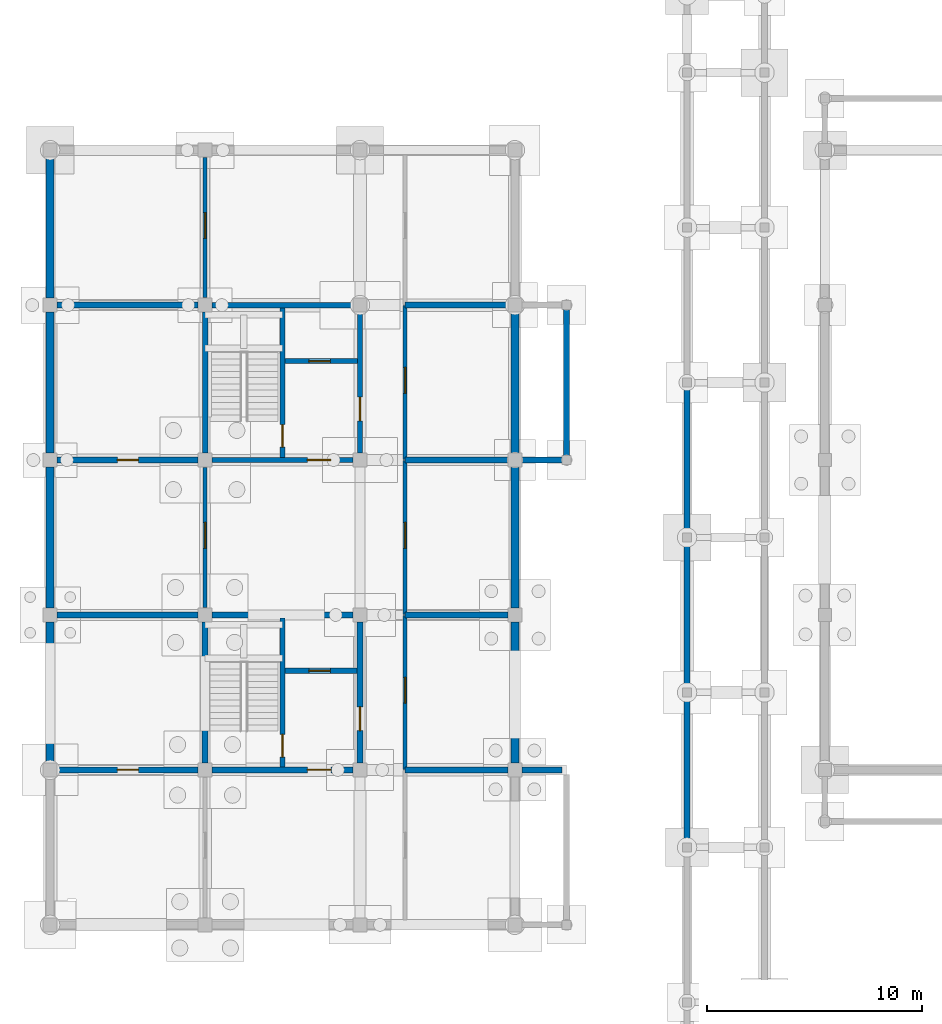
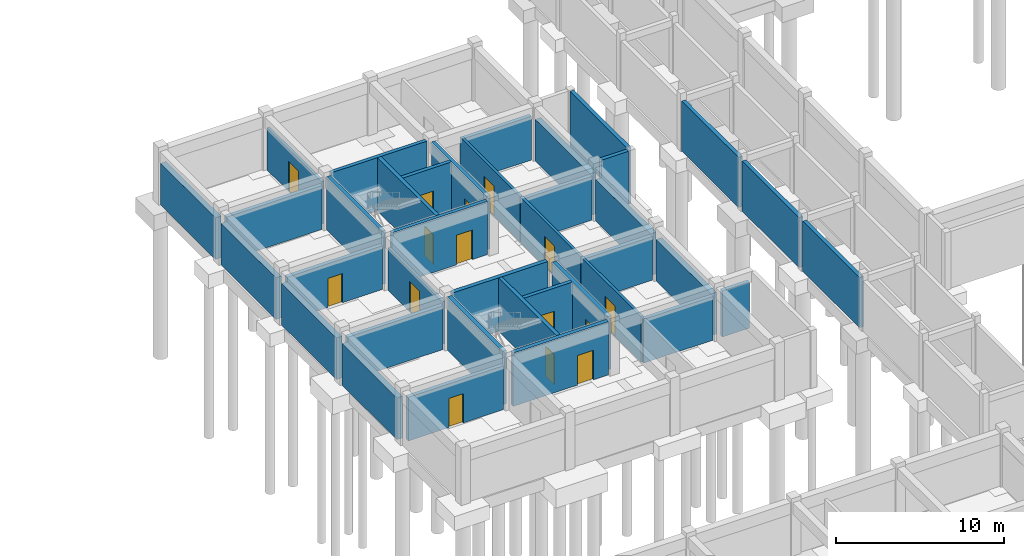
# One storey, part 27 of 38: 38 walls, 15 doors, 15 openings.
"""IFC4 building model written with IfcOpenShell, lengths in metres."""

from ifc_helpers import new_model, si_unit, direction, frame, frame_2d, origin, place, context, subcontext, project, spatial, rectangle, extrude, material, layer, layer_set, type_object, element, fill, save


model = new_model("IFC4")

# Units and contexts
model_context = context("Model", 3, precision=1e-05, world=origin(), true_north=direction((0.0, 1.0)))
body_context = subcontext(model_context, "Body", "Model", "MODEL_VIEW")
ifc_project = project(units=[si_unit("LENGTHUNIT", "METRE"), si_unit("AREAUNIT", "SQUARE_METRE"), si_unit("VOLUMEUNIT", "CUBIC_METRE"), si_unit("PLANEANGLEUNIT", "RADIAN"), si_unit("MASSUNIT", "GRAM", prefix="KILO"), si_unit("THERMODYNAMICTEMPERATUREUNIT", "KELVIN"), si_unit("POWERUNIT", "WATT")], contexts=[model_context])

# Site, building, storey
site_placement = place(None, origin())
site = spatial("IfcSite", under=ifc_project, at=site_placement, CompositionType="ELEMENT")
building_placement = place(site_placement, origin())
building = spatial("IfcBuilding", under=site, at=building_placement, Name="Tavuni Mirador Residences", CompositionType="ELEMENT")
storey_placement = place(building_placement, frame((0.0, 0.0, -4.199951171875)))
storey = spatial("IfcBuildingStorey", under=building, at=storey_placement, Name="B1", CompositionType="ELEMENT", Elevation=-4.199951171875)

# Wall, opening, door
ifc_material_1 = material(Name="Precast concrete C40/50", Category="concrete")
ifc_layer_1 = layer(ifc_material_1, 0.25, Name="Precast concrete C40/50", Category="concrete")
ifc_layer_set_1 = layer_set([ifc_layer_1], Name="Precast concrete C40/50")
wall_type_1 = type_object("IfcWallType", Name="WT-COR250", PredefinedType="SHEAR", material=ifc_layer_set_1)
wall_1_placement = place(storey_placement, frame((14.39990234375, 72.139892578125, 0.0), z_axis=(0.0, 0.0, 1.0), x_axis=(0.0, 1.0, 0.0)))
wall_1 = element("IfcWall", 1, at=wall_1_placement, inside=storey, type_object=wall_type_1, Name="CWALL-C3-B1-MID", PredefinedType="SHEAR", context=body_context, shape_type="SweptSolid", body=[
    extrude(rectangle(XDim=6.920166015625, YDim=0.25, at=frame_2d((3.4599609375, 0.0))), origin(), (0.0, 0.0, 1.0), 3.8798828125),
])
opening_1_placement = place(wall_1_placement, frame((0.4599609375, 0.0, 0.0)))
opening_1 = element("IfcOpeningElement", 2, at=opening_1_placement, cuts=wall_1, Name="Opening D-01", PredefinedType="OPENING", context=body_context, shape_type="SweptSolid", body=[
    extrude(rectangle(XDim=1.050048828125, YDim=2.14990234375, at=frame_2d((0.52490234375, 1.074951171875))), frame((0.0, 0.135009765625, 0.0), z_axis=(0.0, -1.0, 0.0), x_axis=(1.0, 0.0, 0.0)), (0.0, 0.0, 1.0), 0.27001953125),
])
ifc_material_2 = material(Name="Solid core iroko timber", Category="wood")
door_type_1 = type_object("IfcDoorType", Name="DT-ST1050", OperationType="NOTDEFINED", PredefinedType="DOOR", material=ifc_material_2)
door_1_placement = place(opening_1_placement, origin())
door_1 = element("IfcDoor", 3, at=door_1_placement, inside=storey, type_object=door_type_1, Name="DR-2109", OperationType="SINGLE_SWING_LEFT", OverallHeight=2.14990234375, OverallWidth=1.050048828125, PredefinedType="DOOR", context=body_context, shape_type="SweptSolid", body=[
    extrude(rectangle(XDim=1.050048828125, YDim=2.14990234375, at=frame_2d((0.52490234375, 1.074951171875))), frame((0.0, 0.02490234375, 0.0), z_axis=(0.0, -1.0, 0.0), x_axis=(1.0, 0.0, 0.0)), (0.0, 0.0, 1.0), 0.050048828125),
])
fill(opening_1, door_1)

wall_2_placement = place(storey_placement, frame((14.52490234375, 76.60009765625, 0.0), z_axis=(0.0, 0.0, 1.0), x_axis=(1.0, 0.0, 0.0)))
wall_2 = element("IfcWall", 4, at=wall_2_placement, inside=storey, type_object=wall_type_1, Name="CWALL-C3-B1-SHF", PredefinedType="SHEAR", context=body_context, shape_type="SweptSolid", body=[
    extrude(rectangle(XDim=3.335205078125, YDim=0.25, at=frame_2d((1.66748046875, 0.0))), origin(), (0.0, 0.0, 1.0), 3.8798828125),
])
opening_2_placement = place(wall_2_placement, frame((1.10009765625, 0.0, 0.0)))
opening_2 = element("IfcOpeningElement", 5, at=opening_2_placement, cuts=wall_2, Name="Opening LD-02", PredefinedType="OPENING", context=body_context, shape_type="SweptSolid", body=[
    extrude(rectangle(XDim=1.0, YDim=2.199951171875, at=frame_2d((0.5, 1.10009765625))), frame((0.0, 0.135009765625, 0.0), z_axis=(0.0, -1.0, 0.0), x_axis=(1.0, 0.0, 0.0)), (0.0, 0.0, 1.0), 0.27001953125),
])
ifc_material_3 = material(Name="Structural steel S355", Category="steel")
door_type_2 = type_object("IfcDoorType", Name="DT-LD-PAX", OperationType="SLIDING_TO_LEFT", PredefinedType="DOOR", material=ifc_material_3)
door_2_placement = place(opening_2_placement, origin())
door_2 = element("IfcDoor", 6, at=door_2_placement, inside=storey, type_object=door_type_2, Name="Lift landing door PL-B1 B1", OperationType="SLIDING_TO_LEFT", OverallHeight=2.199951171875, OverallWidth=1.0, PredefinedType="DOOR", context=body_context, shape_type="SweptSolid", body=[
    extrude(rectangle(XDim=1.0, YDim=2.199951171875, at=frame_2d((0.5, 1.10009765625))), frame((0.0, 0.02490234375, 0.0), z_axis=(0.0, -1.0, 0.0), x_axis=(1.0, 0.0, 0.0)), (0.0, 0.0, 1.0), 0.050048828125),
])
fill(opening_2, door_2)

# Walls
wall_3_placement = place(storey_placement, frame((10.800048828125, 86.72509765625, 0.0), z_axis=(0.0, 0.0, 1.0), x_axis=(0.0, 1.0, 0.0)))
element("IfcWall", 7, at=wall_3_placement, inside=storey, type_object=wall_type_1, Name="CWALL-C4-B1-W", PredefinedType="SHEAR", context=body_context, shape_type="SweptSolid", body=[
    extrude(rectangle(XDim=6.5498046875, YDim=0.25, at=frame_2d((3.27490234375, 0.0))), origin(), (0.0, 0.0, 1.0), 3.8798828125),
])
wall_4_placement = place(storey_placement, frame((11.125, 93.60009765625, 0.0), z_axis=(0.0, 0.0, 1.0), x_axis=(1.0, 0.0, 0.0)))
element("IfcWall", 8, at=wall_4_placement, inside=storey, type_object=wall_type_1, Name="CWALL-C4-B1-N", PredefinedType="SHEAR", context=body_context, shape_type="SweptSolid", body=[
    extrude(rectangle(XDim=6.550048828125, YDim=0.25, at=frame_2d((3.27490234375, 0.0))), origin(), (0.0, 0.0, 1.0), 3.8798828125),
])

# Wall, opening, door
wall_5_placement = place(storey_placement, frame((18.0, 86.72509765625, 0.0), z_axis=(0.0, 0.0, 1.0), x_axis=(0.0, 1.0, 0.0)))
wall_5 = element("IfcWall", 9, at=wall_5_placement, inside=storey, type_object=wall_type_1, Name="CWALL-C4-B1-E", PredefinedType="SHEAR", context=body_context, shape_type="SweptSolid", body=[
    extrude(rectangle(XDim=6.5498046875, YDim=0.25, at=frame_2d((3.27490234375, 0.0))), origin(), (0.0, 0.0, 1.0), 3.8798828125),
])
opening_3_placement = place(wall_5_placement, frame((1.5, 0.0, 0.0)))
opening_3 = element("IfcOpeningElement", 10, at=opening_3_placement, cuts=wall_5, Name="Opening D-02", PredefinedType="OPENING", context=body_context, shape_type="SweptSolid", body=[
    extrude(rectangle(XDim=1.10009765625, YDim=2.14990234375, at=frame_2d((0.550048828125, 1.074951171875))), frame((0.0, 0.135009765625, 0.0), z_axis=(0.0, -1.0, 0.0), x_axis=(1.0, 0.0, 0.0)), (0.0, 0.0, 1.0), 0.27001953125),
])
door_type_3 = type_object("IfcDoorType", Name="DT-LOB1100", OperationType="NOTDEFINED", PredefinedType="DOOR", material=ifc_material_2)
door_3_placement = place(opening_3_placement, frame((1.10009765625, 0.0, 0.0), z_axis=(0.0, 0.0, 1.0), x_axis=(-1.0, 0.0, 0.0)))
door_3 = element("IfcDoor", 11, at=door_3_placement, inside=storey, type_object=door_type_3, Name="DR-2139", OperationType="SINGLE_SWING_RIGHT", OverallHeight=2.14990234375, OverallWidth=1.10009765625, PredefinedType="DOOR", context=body_context, shape_type="SweptSolid", body=[
    extrude(rectangle(XDim=1.10009765625, YDim=2.14990234375, at=frame_2d((0.550048828125, 1.074951171875))), frame((0.0, 0.02490234375, 0.0), z_axis=(0.0, -1.0, 0.0), x_axis=(1.0, 0.0, 0.0)), (0.0, 0.0, 1.0), 0.050048828125),
])
fill(opening_3, door_3)

wall_6_placement = place(storey_placement, frame((11.125, 86.39990234375, 0.0), z_axis=(0.0, 0.0, 1.0), x_axis=(1.0, 0.0, 0.0)))
wall_6 = element("IfcWall", 12, at=wall_6_placement, inside=storey, type_object=wall_type_1, Name="CWALL-C4-B1-SS", PredefinedType="SHEAR", context=body_context, shape_type="SweptSolid", body=[
    extrude(rectangle(XDim=6.550048828125, YDim=0.25, at=frame_2d((3.27490234375, 0.0))), origin(), (0.0, 0.0, 1.0), 3.8798828125),
])
opening_4_placement = place(wall_6_placement, frame((4.425048828125, 0.0, 0.0)))
opening_4 = element("IfcOpeningElement", 13, at=opening_4_placement, cuts=wall_6, Name="Opening D-02", PredefinedType="OPENING", context=body_context, shape_type="SweptSolid", body=[
    extrude(rectangle(XDim=1.10009765625, YDim=2.14990234375, at=frame_2d((0.550048828125, 1.074951171875))), frame((0.0, 0.135009765625, 0.0), z_axis=(0.0, -1.0, 0.0), x_axis=(1.0, 0.0, 0.0)), (0.0, 0.0, 1.0), 0.27001953125),
])
door_4_placement = place(opening_4_placement, frame((1.10009765625, 0.0, 0.0), z_axis=(0.0, 0.0, 1.0), x_axis=(-1.0, 0.0, 0.0)))
door_4 = element("IfcDoor", 14, at=door_4_placement, inside=storey, type_object=door_type_3, Name="DR-2140", OperationType="SINGLE_SWING_RIGHT", OverallHeight=2.14990234375, OverallWidth=1.10009765625, PredefinedType="DOOR", context=body_context, shape_type="SweptSolid", body=[
    extrude(rectangle(XDim=1.10009765625, YDim=2.14990234375, at=frame_2d((0.550048828125, 1.074951171875))), frame((0.0, 0.02490234375, 0.0), z_axis=(0.0, -1.0, 0.0), x_axis=(1.0, 0.0, 0.0)), (0.0, 0.0, 1.0), 0.050048828125),
])
fill(opening_4, door_4)

wall_7_placement = place(storey_placement, frame((14.39990234375, 86.52490234375, 0.0), z_axis=(0.0, 0.0, 1.0), x_axis=(0.0, 1.0, 0.0)))
wall_7 = element("IfcWall", 15, at=wall_7_placement, inside=storey, type_object=wall_type_1, Name="CWALL-C4-B1-MID", PredefinedType="SHEAR", context=body_context, shape_type="SweptSolid", body=[
    extrude(rectangle(XDim=6.9501953125, YDim=0.25, at=frame_2d((3.47509765625, 0.0))), origin(), (0.0, 0.0, 1.0), 3.8798828125),
])
opening_5_placement = place(wall_7_placement, frame((0.47509765625, 0.0, 0.0)))
opening_5 = element("IfcOpeningElement", 16, at=opening_5_placement, cuts=wall_7, Name="Opening D-01", PredefinedType="OPENING", context=body_context, shape_type="SweptSolid", body=[
    extrude(rectangle(XDim=1.050048828125, YDim=2.14990234375, at=frame_2d((0.52490234375, 1.074951171875))), frame((0.0, 0.135009765625, 0.0), z_axis=(0.0, -1.0, 0.0), x_axis=(1.0, 0.0, 0.0)), (0.0, 0.0, 1.0), 0.27001953125),
])
door_5_placement = place(opening_5_placement, origin())
door_5 = element("IfcDoor", 17, at=door_5_placement, inside=storey, type_object=door_type_1, Name="DR-2141", OperationType="SINGLE_SWING_LEFT", OverallHeight=2.14990234375, OverallWidth=1.050048828125, PredefinedType="DOOR", context=body_context, shape_type="SweptSolid", body=[
    extrude(rectangle(XDim=1.050048828125, YDim=2.14990234375, at=frame_2d((0.52490234375, 1.074951171875))), frame((0.0, 0.02490234375, 0.0), z_axis=(0.0, -1.0, 0.0), x_axis=(1.0, 0.0, 0.0)), (0.0, 0.0, 1.0), 0.050048828125),
])
fill(opening_5, door_5)

wall_8_placement = place(storey_placement, frame((14.52490234375, 91.0, 0.0), z_axis=(0.0, 0.0, 1.0), x_axis=(1.0, 0.0, 0.0)))
wall_8 = element("IfcWall", 18, at=wall_8_placement, inside=storey, type_object=wall_type_1, Name="CWALL-C4-B1-SHF", PredefinedType="SHEAR", context=body_context, shape_type="SweptSolid", body=[
    extrude(rectangle(XDim=3.35009765625, YDim=0.25, at=frame_2d((1.675048828125, 0.0))), origin(), (0.0, 0.0, 1.0), 3.8798828125),
])
opening_6_placement = place(wall_8_placement, frame((1.10009765625, 0.0, 0.0)))
opening_6 = element("IfcOpeningElement", 19, at=opening_6_placement, cuts=wall_8, Name="Opening LD-02", PredefinedType="OPENING", context=body_context, shape_type="SweptSolid", body=[
    extrude(rectangle(XDim=1.0, YDim=2.199951171875, at=frame_2d((0.5, 1.10009765625))), frame((0.0, 0.135009765625, 0.0), z_axis=(0.0, -1.0, 0.0), x_axis=(1.0, 0.0, 0.0)), (0.0, 0.0, 1.0), 0.27001953125),
])
door_6_placement = place(opening_6_placement, origin())
door_6 = element("IfcDoor", 20, at=door_6_placement, inside=storey, type_object=door_type_2, Name="Lift landing door PL-B2 B1", OperationType="SLIDING_TO_LEFT", OverallHeight=2.199951171875, OverallWidth=1.0, PredefinedType="DOOR", context=body_context, shape_type="SweptSolid", body=[
    extrude(rectangle(XDim=1.0, YDim=2.199951171875, at=frame_2d((0.5, 1.10009765625))), frame((0.0, 0.02490234375, 0.0), z_axis=(0.0, -1.0, 0.0), x_axis=(1.0, 0.0, 0.0)), (0.0, 0.0, 1.0), 0.050048828125),
])
fill(opening_6, door_6)

# Walls
ifc_layer_2 = layer(ifc_material_1, 0.280029296875, Name="Precast concrete C40/50", Category="concrete")
ifc_layer_set_2 = layer_set([ifc_layer_2], Name="Precast concrete C40/50")
wall_type_2 = type_object("IfcWallType", Name="WT-COR280", PredefinedType="SHEAR", material=ifc_layer_set_2)
for number, where, z_axis, x_axis, name in (
    (21, (10.800048828125, 72.324951171875, 0.0), (0.0, 0.0, 1.0), (0.0, 1.0, 0.0), "CWALL-C3-B1-W"),
    (22, (11.125, 79.199951171875, 0.0), (0.0, 0.0, 1.0), (1.0, 0.0, 0.0), "CWALL-C3-B1-N"),
):
    element("IfcWall", number, at=place(storey_placement, frame(where, z_axis=z_axis, x_axis=x_axis)), inside=storey, type_object=wall_type_2, Name=name, PredefinedType="SHEAR", context=body_context, shape_type="SweptSolid", body=[
        extrude(rectangle(XDim=6.550048828125, YDim=0.280029296875, at=frame_2d((3.27490234375, 0.0))), origin(), (0.0, 0.0, 1.0), 3.8798828125),
    ])

# Wall, opening, door
wall_9_placement = place(storey_placement, frame((18.0, 72.324951171875, 0.0), z_axis=(0.0, 0.0, 1.0), x_axis=(0.0, 1.0, 0.0)))
wall_9 = element("IfcWall", 23, at=wall_9_placement, inside=storey, type_object=wall_type_2, Name="CWALL-C3-B1-E", PredefinedType="SHEAR", context=body_context, shape_type="SweptSolid", body=[
    extrude(rectangle(XDim=6.550048828125, YDim=0.280029296875, at=frame_2d((3.27490234375, 0.0))), origin(), (0.0, 0.0, 1.0), 3.8798828125),
])
opening_7_placement = place(wall_9_placement, frame((1.5, 0.0, 0.0)))
opening_7 = element("IfcOpeningElement", 24, at=opening_7_placement, cuts=wall_9, Name="Opening D-02", PredefinedType="OPENING", context=body_context, shape_type="SweptSolid", body=[
    extrude(rectangle(XDim=1.10009765625, YDim=2.14990234375, at=frame_2d((0.550048828125, 1.074951171875))), frame((0.0, 0.14990234375, 0.0), z_axis=(0.0, -1.0, 0.0), x_axis=(1.0, 0.0, 0.0)), (0.0, 0.0, 1.0), 0.300048828125),
])
door_7_placement = place(opening_7_placement, frame((1.10009765625, 0.0, 0.0), z_axis=(0.0, 0.0, 1.0), x_axis=(-1.0, 0.0, 0.0)))
door_7 = element("IfcDoor", 25, at=door_7_placement, inside=storey, type_object=door_type_3, Name="DR-2107", OperationType="SINGLE_SWING_RIGHT", OverallHeight=2.14990234375, OverallWidth=1.10009765625, PredefinedType="DOOR", context=body_context, shape_type="SweptSolid", body=[
    extrude(rectangle(XDim=1.10009765625, YDim=2.14990234375, at=frame_2d((0.550048828125, 1.074951171875))), frame((0.0, 0.02490234375, 0.0), z_axis=(0.0, -1.0, 0.0), x_axis=(1.0, 0.0, 0.0)), (0.0, 0.0, 1.0), 0.050048828125),
])
fill(opening_7, door_7)

wall_10_placement = place(storey_placement, frame((11.125, 72.0, 0.0), z_axis=(0.0, 0.0, 1.0), x_axis=(1.0, 0.0, 0.0)))
wall_10 = element("IfcWall", 26, at=wall_10_placement, inside=storey, type_object=wall_type_2, Name="CWALL-C3-B1-SS", PredefinedType="SHEAR", context=body_context, shape_type="SweptSolid", body=[
    extrude(rectangle(XDim=6.550048828125, YDim=0.280029296875, at=frame_2d((3.27490234375, 0.0))), origin(), (0.0, 0.0, 1.0), 3.8798828125),
])
opening_8_placement = place(wall_10_placement, frame((4.425048828125, 0.0, 0.0)))
opening_8 = element("IfcOpeningElement", 27, at=opening_8_placement, cuts=wall_10, Name="Opening D-02", PredefinedType="OPENING", context=body_context, shape_type="SweptSolid", body=[
    extrude(rectangle(XDim=1.10009765625, YDim=2.14990234375, at=frame_2d((0.550048828125, 1.074951171875))), frame((0.0, 0.14990234375, 0.0), z_axis=(0.0, -1.0, 0.0), x_axis=(1.0, 0.0, 0.0)), (0.0, 0.0, 1.0), 0.300048828125),
])
door_8_placement = place(opening_8_placement, frame((1.10009765625, 0.0, 0.0), z_axis=(0.0, 0.0, 1.0), x_axis=(-1.0, 0.0, 0.0)))
door_8 = element("IfcDoor", 28, at=door_8_placement, inside=storey, type_object=door_type_3, Name="DR-2108", OperationType="SINGLE_SWING_RIGHT", OverallHeight=2.14990234375, OverallWidth=1.10009765625, PredefinedType="DOOR", context=body_context, shape_type="SweptSolid", body=[
    extrude(rectangle(XDim=1.10009765625, YDim=2.14990234375, at=frame_2d((0.550048828125, 1.074951171875))), frame((0.0, 0.02490234375, 0.0), z_axis=(0.0, -1.0, 0.0), x_axis=(1.0, 0.0, 0.0)), (0.0, 0.0, 1.0), 0.050048828125),
])
fill(opening_8, door_8)

ifc_layer_3 = layer(ifc_material_1, 0.18505859375, Name="Precast concrete C40/50", Category="concrete")
ifc_layer_set_3 = layer_set([ifc_layer_3], Name="Precast concrete C40/50")
wall_type_3 = type_object("IfcWallType", Name="WT-CORR185", PredefinedType="PARTITIONING", material=ifc_layer_set_3)
wall_11_placement = place(storey_placement, frame((20.10009765625, 72.02001953125, 0.0), z_axis=(0.0, 0.0, 1.0), x_axis=(0.0, 1.0, 0.0)))
wall_11 = element("IfcWall", 29, at=wall_11_placement, inside=storey, type_object=wall_type_3, Name="CORW-BLK-B-B1-0-01", PredefinedType="PARTITIONING", context=body_context, shape_type="SweptSolid", body=[
    extrude(rectangle(XDim=7.159912109375, YDim=0.18505859375, at=frame_2d((3.580078125, 0.0))), origin(), (0.0, 0.0, 1.0), 3.31494140625),
])
opening_9_placement = place(wall_11_placement, frame((3.080078125, 0.0, 0.0)))
opening_9 = element("IfcOpeningElement", 30, at=opening_9_placement, cuts=wall_11, Name="Opening D-18", PredefinedType="OPENING", context=body_context, shape_type="SweptSolid", body=[
    extrude(rectangle(XDim=1.199951171875, YDim=2.199951171875, at=frame_2d((0.60009765625, 1.10009765625))), frame((0.0, 0.1025390625, 0.0), z_axis=(0.0, -1.0, 0.0), x_axis=(1.0, 0.0, 0.0)), (0.0, 0.0, 1.0), 0.205078125),
])
door_type_4 = type_object("IfcDoorType", Name="DT-PLT1200", OperationType="NOTDEFINED", PredefinedType="DOOR", material=ifc_material_3)
door_9_placement = place(opening_9_placement, origin())
door_9 = element("IfcDoor", 31, at=door_9_placement, inside=storey, type_object=door_type_4, Name="DR-2522", OperationType="SINGLE_SWING_LEFT", OverallHeight=2.199951171875, OverallWidth=1.199951171875, PredefinedType="DOOR", context=body_context, shape_type="SweptSolid", body=[
    extrude(rectangle(XDim=1.199951171875, YDim=2.199951171875, at=frame_2d((0.60009765625, 1.10009765625))), frame((0.0, 0.02490234375, 0.0), z_axis=(0.0, -1.0, 0.0), x_axis=(1.0, 0.0, 0.0)), (0.0, 0.0, 1.0), 0.050048828125),
])
fill(opening_9, door_9)

wall_12_placement = place(storey_placement, frame((20.10009765625, 79.219970703125, 0.0), z_axis=(0.0, 0.0, 1.0), x_axis=(0.0, 1.0, 0.0)))
wall_12 = element("IfcWall", 32, at=wall_12_placement, inside=storey, type_object=wall_type_3, Name="CORW-BLK-B-B1-0-02", PredefinedType="PARTITIONING", context=body_context, shape_type="SweptSolid", body=[
    extrude(rectangle(XDim=7.159912109375, YDim=0.18505859375, at=frame_2d((3.580078125, 0.0))), origin(), (0.0, 0.0, 1.0), 3.31494140625),
])
opening_10_placement = place(wall_12_placement, frame((3.080078125, 0.0, 0.0)))
opening_10 = element("IfcOpeningElement", 33, at=opening_10_placement, cuts=wall_12, Name="Opening D-18", PredefinedType="OPENING", context=body_context, shape_type="SweptSolid", body=[
    extrude(rectangle(XDim=1.199951171875, YDim=2.199951171875, at=frame_2d((0.60009765625, 1.10009765625))), frame((0.0, 0.1025390625, 0.0), z_axis=(0.0, -1.0, 0.0), x_axis=(1.0, 0.0, 0.0)), (0.0, 0.0, 1.0), 0.205078125),
])
door_10_placement = place(opening_10_placement, origin())
door_10 = element("IfcDoor", 34, at=door_10_placement, inside=storey, type_object=door_type_4, Name="DR-2523", OperationType="SINGLE_SWING_RIGHT", OverallHeight=2.199951171875, OverallWidth=1.199951171875, PredefinedType="DOOR", context=body_context, shape_type="SweptSolid", body=[
    extrude(rectangle(XDim=1.199951171875, YDim=2.199951171875, at=frame_2d((0.60009765625, 1.10009765625))), frame((0.0, 0.02490234375, 0.0), z_axis=(0.0, -1.0, 0.0), x_axis=(1.0, 0.0, 0.0)), (0.0, 0.0, 1.0), 0.050048828125),
])
fill(opening_10, door_10)

wall_13_placement = place(storey_placement, frame((20.10009765625, 86.419921875, 0.0), z_axis=(0.0, 0.0, 1.0), x_axis=(0.0, 1.0, 0.0)))
wall_13 = element("IfcWall", 35, at=wall_13_placement, inside=storey, type_object=wall_type_3, Name="CORW-BLK-B-B1-0-03", PredefinedType="PARTITIONING", context=body_context, shape_type="SweptSolid", body=[
    extrude(rectangle(XDim=7.16015625, YDim=0.18505859375, at=frame_2d((3.580078125, 0.0))), origin(), (0.0, 0.0, 1.0), 3.31494140625),
])
opening_11_placement = place(wall_13_placement, frame((3.080078125, 0.0, 0.0)))
opening_11 = element("IfcOpeningElement", 36, at=opening_11_placement, cuts=wall_13, Name="Opening D-18", PredefinedType="OPENING", context=body_context, shape_type="SweptSolid", body=[
    extrude(rectangle(XDim=1.199951171875, YDim=2.199951171875, at=frame_2d((0.60009765625, 1.10009765625))), frame((0.0, 0.1025390625, 0.0), z_axis=(0.0, -1.0, 0.0), x_axis=(1.0, 0.0, 0.0)), (0.0, 0.0, 1.0), 0.205078125),
])
door_11_placement = place(opening_11_placement, origin())
door_11 = element("IfcDoor", 37, at=door_11_placement, inside=storey, type_object=door_type_4, Name="DR-2524", OperationType="SINGLE_SWING_LEFT", OverallHeight=2.199951171875, OverallWidth=1.199951171875, PredefinedType="DOOR", context=body_context, shape_type="SweptSolid", body=[
    extrude(rectangle(XDim=1.199951171875, YDim=2.199951171875, at=frame_2d((0.60009765625, 1.10009765625))), frame((0.0, 0.02490234375, 0.0), z_axis=(0.0, -1.0, 0.0), x_axis=(1.0, 0.0, 0.0)), (0.0, 0.0, 1.0), 0.050048828125),
])
fill(opening_11, door_11)

wall_14_placement = place(storey_placement, frame((10.800048828125, 79.550048828125, 0.0), z_axis=(0.0, 0.0, 1.0), x_axis=(0.0, 1.0, 0.0)))
wall_14 = element("IfcWall", 38, at=wall_14_placement, inside=storey, type_object=wall_type_3, Name="CORW-BLK-B-B1-1-02", PredefinedType="PARTITIONING", context=body_context, shape_type="SweptSolid", body=[
    extrude(rectangle(XDim=6.5, YDim=0.18505859375, at=frame_2d((3.25, 0.0))), origin(), (0.0, 0.0, 1.0), 3.079833984375),
])
opening_12_placement = place(wall_14_placement, frame((2.75, 0.0, 0.0)))
opening_12 = element("IfcOpeningElement", 39, at=opening_12_placement, cuts=wall_14, Name="Opening D-18", PredefinedType="OPENING", context=body_context, shape_type="SweptSolid", body=[
    extrude(rectangle(XDim=1.199951171875, YDim=2.199951171875, at=frame_2d((0.60009765625, 1.10009765625))), frame((0.0, 0.1025390625, 0.0), z_axis=(0.0, -1.0, 0.0), x_axis=(1.0, 0.0, 0.0)), (0.0, 0.0, 1.0), 0.205078125),
])
door_12_placement = place(opening_12_placement, origin())
door_12 = element("IfcDoor", 40, at=door_12_placement, inside=storey, type_object=door_type_4, Name="DR-2527", OperationType="SINGLE_SWING_RIGHT", OverallHeight=2.199951171875, OverallWidth=1.199951171875, PredefinedType="DOOR", context=body_context, shape_type="SweptSolid", body=[
    extrude(rectangle(XDim=1.199951171875, YDim=2.199951171875, at=frame_2d((0.60009765625, 1.10009765625))), frame((0.0, 0.02490234375, 0.0), z_axis=(0.0, -1.0, 0.0), x_axis=(1.0, 0.0, 0.0)), (0.0, 0.0, 1.0), 0.050048828125),
])
fill(opening_12, door_12)

wall_15_placement = place(storey_placement, frame((10.800048828125, 93.949951171875, 0.0), z_axis=(0.0, 0.0, 1.0), x_axis=(0.0, 1.0, 0.0)))
wall_15 = element("IfcWall", 41, at=wall_15_placement, inside=storey, type_object=wall_type_3, Name="CORW-BLK-B-B1-1-04", PredefinedType="PARTITIONING", context=body_context, shape_type="SweptSolid", body=[
    extrude(rectangle(XDim=6.5, YDim=0.18505859375, at=frame_2d((3.25, 0.0))), origin(), (0.0, 0.0, 1.0), 3.079833984375),
])
opening_13_placement = place(wall_15_placement, frame((2.75, 0.0, 0.0)))
opening_13 = element("IfcOpeningElement", 42, at=opening_13_placement, cuts=wall_15, Name="Opening D-18", PredefinedType="OPENING", context=body_context, shape_type="SweptSolid", body=[
    extrude(rectangle(XDim=1.199951171875, YDim=2.199951171875, at=frame_2d((0.60009765625, 1.10009765625))), frame((0.0, 0.1025390625, 0.0), z_axis=(0.0, -1.0, 0.0), x_axis=(1.0, 0.0, 0.0)), (0.0, 0.0, 1.0), 0.205078125),
])
door_13_placement = place(opening_13_placement, origin())
door_13 = element("IfcDoor", 43, at=door_13_placement, inside=storey, type_object=door_type_4, Name="DR-2528", OperationType="SINGLE_SWING_LEFT", OverallHeight=2.199951171875, OverallWidth=1.199951171875, PredefinedType="DOOR", context=body_context, shape_type="SweptSolid", body=[
    extrude(rectangle(XDim=1.199951171875, YDim=2.199951171875, at=frame_2d((0.60009765625, 1.10009765625))), frame((0.0, 0.02490234375, 0.0), z_axis=(0.0, -1.0, 0.0), x_axis=(1.0, 0.0, 0.0)), (0.0, 0.0, 1.0), 0.050048828125),
])
fill(opening_13, door_13)

# Walls
ifc_material_4 = material(Name="In-situ concrete C35/45", Category="concrete")
ifc_layer_4 = layer(ifc_material_4, 0.3798828125, Name="In-situ concrete C35/45", Category="concrete")
ifc_layer_set_4 = layer_set([ifc_layer_4], Name="In-situ concrete C35/45")
wall_type_4 = type_object("IfcWallType", Name="WT-RET380", PredefinedType="USERDEFINED", material=ifc_layer_set_4)
for number, where, z_axis, x_axis, name in (
    (44, (25.199951171875, 72.324951171875, 0.0), (0.0, 0.0, 1.0), (0.0, 1.0, 0.0), "RET-BLK-B-E-01"),
    (45, (3.60009765625, 78.875, 0.0), (0.0, 0.0, 1.0), (0.0, -1.0, 0.0), "RET-BLK-B-W-01"),
    (46, (25.199951171875, 79.52490234375, 0.0), (0.0, 0.0, 1.0), (0.0, 1.0, 0.0), "RET-BLK-B-E-02"),
    (47, (3.60009765625, 86.074951171875, 0.0), (0.0, 0.0, 1.0), (0.0, -1.0, 0.0), "RET-BLK-B-W-02"),
):
    element("IfcWall", number, at=place(storey_placement, frame(where, z_axis=z_axis, x_axis=x_axis)), inside=storey, type_object=wall_type_4, Name=name, ObjectType="RETAINING WALL", PredefinedType="USERDEFINED", context=body_context, shape_type="SweptSolid", body=[
        extrude(rectangle(XDim=6.550048828125, YDim=0.3798828125, at=frame_2d((3.27490234375, 0.0))), origin(), (0.0, 0.0, 1.0), 3.030029296875),
    ])
for number, where, z_axis, x_axis, name in (
    (48, (25.199951171875, 86.72509765625, 0.0), (0.0, 0.0, 1.0), (0.0, 1.0, 0.0), "RET-BLK-B-E-03"),
    (49, (3.60009765625, 93.27490234375, 0.0), (0.0, 0.0, 1.0), (0.0, -1.0, 0.0), "RET-BLK-B-W-03"),
):
    element("IfcWall", number, at=place(storey_placement, frame(where, z_axis=z_axis, x_axis=x_axis)), inside=storey, type_object=wall_type_4, Name=name, ObjectType="RETAINING WALL", PredefinedType="USERDEFINED", context=body_context, shape_type="SweptSolid", body=[
        extrude(rectangle(XDim=6.5498046875, YDim=0.3798828125, at=frame_2d((3.27490234375, 0.0))), origin(), (0.0, 0.0, 1.0), 3.030029296875),
    ])
wall_16_placement = place(storey_placement, frame((3.60009765625, 100.47509765625, 0.0), z_axis=(0.0, 0.0, 1.0), x_axis=(0.0, -1.0, 0.0)))
element("IfcWall", 50, at=wall_16_placement, inside=storey, type_object=wall_type_4, Name="RET-BLK-B-W-04", ObjectType="RETAINING WALL", PredefinedType="USERDEFINED", context=body_context, shape_type="SweptSolid", body=[
    extrude(rectangle(XDim=6.550048828125, YDim=0.3798828125, at=frame_2d((3.27490234375, 0.0))), origin(), (0.0, 0.0, 1.0), 3.030029296875),
])
ifc_layer_5 = layer(ifc_material_1, 0.264892578125, Name="Precast concrete C40/50", Category="concrete")
ifc_layer_set_5 = layer_set([ifc_layer_5], Name="Precast concrete C40/50")
wall_type_5 = type_object("IfcWallType", Name="WT-XW265", PredefinedType="SOLIDWALL", material=ifc_layer_set_5)
wall_17_placement = place(storey_placement, frame((33.199951171875, 75.389892578125, 0.0), z_axis=(0.0, 0.0, 1.0), x_axis=(0.0, -1.0, 0.0)))
element("IfcWall", 51, at=wall_17_placement, inside=storey, type_object=wall_type_5, Name="RET-PAV-COL-W-02", PredefinedType="SOLIDWALL", context=body_context, shape_type="SweptSolid", body=[
    extrude(rectangle(XDim=6.77978515625, YDim=0.264892578125, at=frame_2d((3.389892578125, 0.0))), origin(), (0.0, 0.0, 1.0), 3.64990234375),
])
for number, where, z_axis, x_axis, name in (
    (52, (33.199951171875, 82.590087890625, 0.0), (0.0, 0.0, 1.0), (0.0, -1.0, 0.0), "RET-PAV-COL-W-03"),
    (53, (33.199951171875, 89.7900390625, 0.0), (0.0, 0.0, 1.0), (0.0, -1.0, 0.0), "RET-PAV-COL-W-04"),
):
    element("IfcWall", number, at=place(storey_placement, frame(where, z_axis=z_axis, x_axis=x_axis)), inside=storey, type_object=wall_type_5, Name=name, PredefinedType="SOLIDWALL", context=body_context, shape_type="SweptSolid", body=[
        extrude(rectangle(XDim=6.780029296875, YDim=0.264892578125, at=frame_2d((3.39013671875, 0.0))), origin(), (0.0, 0.0, 1.0), 3.64990234375),
    ])
wall_18_placement = place(storey_placement, frame((27.389892578125, 72.0, 0.0), z_axis=(0.0, 0.0, 1.0), x_axis=(-1.0, 0.0, 0.0)))
element("IfcWall", 54, at=wall_18_placement, inside=storey, type_object=wall_type_5, Name="RET-APR-BLKB-E1-N0", PredefinedType="SOLIDWALL", context=body_context, shape_type="SweptSolid", body=[
    extrude(rectangle(XDim=1.864990234375, YDim=0.264892578125, at=frame_2d((0.9326171875, 0.0))), origin(), (0.0, 0.0, 1.0), 3.349853515625),
])
wall_19_placement = place(storey_placement, frame((25.52490234375, 86.39990234375, 0.0), z_axis=(0.0, 0.0, 1.0), x_axis=(1.0, 0.0, 0.0)))
element("IfcWall", 55, at=wall_19_placement, inside=storey, type_object=wall_type_5, Name="RET-APR-BLKB-E2-S0", PredefinedType="SOLIDWALL", context=body_context, shape_type="SweptSolid", body=[
    extrude(rectangle(XDim=1.864990234375, YDim=0.264892578125, at=frame_2d((0.9326171875, 0.0))), origin(), (0.0, 0.0, 1.0), 4.119873046875),
])
wall_20_placement = place(storey_placement, frame((27.60009765625, 86.610107421875, 0.0), z_axis=(0.0, 0.0, 1.0), x_axis=(0.0, 1.0, 0.0)))
element("IfcWall", 56, at=wall_20_placement, inside=storey, type_object=wall_type_5, Name="RET-APR-BLKB-E2-E0", PredefinedType="SOLIDWALL", context=body_context, shape_type="SweptSolid", body=[
    extrude(rectangle(XDim=6.77978515625, YDim=0.264892578125, at=frame_2d((3.389892578125, 0.0))), origin(), (0.0, 0.0, 1.0), 4.119873046875),
])

# Wall, opening, door
wall_21_placement = place(storey_placement, frame((3.925048828125, 72.0, 0.0), z_axis=(0.0, 0.0, 1.0), x_axis=(1.0, 0.0, 0.0)))
wall_21 = element("IfcWall", 57, at=wall_21_placement, inside=storey, type_object=wall_type_5, Name="XW-BLK-B-B1-W-01", PredefinedType="SOLIDWALL", context=body_context, shape_type="SweptSolid", body=[
    extrude(rectangle(XDim=6.550048828125, YDim=0.264892578125, at=frame_2d((3.27490234375, 0.0))), origin(), (0.0, 0.0, 1.0), 3.179931640625),
])
opening_14_placement = place(wall_21_placement, frame((2.800048828125, 0.0, 0.0)))
opening_14 = element("IfcOpeningElement", 58, at=opening_14_placement, cuts=wall_21, Name="Opening D-04", PredefinedType="OPENING", context=body_context, shape_type="SweptSolid", body=[
    extrude(rectangle(XDim=0.97998046875, YDim=2.1201171875, at=frame_2d((0.489990234375, 1.06005859375))), frame((0.0, 0.142578125, 0.0), z_axis=(0.0, -1.0, 0.0), x_axis=(1.0, 0.0, 0.0)), (0.0, 0.0, 1.0), 0.284912109375),
])
door_type_5 = type_object("IfcDoorType", Name="DT-FD60-980", OperationType="NOTDEFINED", PredefinedType="DOOR", material=ifc_material_2)
door_14_placement = place(opening_14_placement, origin())
door_14 = element("IfcDoor", 59, at=door_14_placement, inside=storey, type_object=door_type_5, Name="DR-4706", OperationType="SINGLE_SWING_LEFT", OverallHeight=2.1201171875, OverallWidth=0.97998046875, PredefinedType="DOOR", context=body_context, shape_type="SweptSolid", body=[
    extrude(rectangle(XDim=0.97998046875, YDim=2.1201171875, at=frame_2d((0.489990234375, 1.06005859375))), frame((0.0, 0.02490234375, 0.0), z_axis=(0.0, -1.0, 0.0), x_axis=(1.0, 0.0, 0.0)), (0.0, 0.0, 1.0), 0.050048828125),
])
fill(opening_14, door_14)

# Walls
wall_22_placement = place(storey_placement, frame((20.10009765625, 72.0, 0.0), z_axis=(0.0, 0.0, 1.0), x_axis=(1.0, 0.0, 0.0)))
element("IfcWall", 60, at=wall_22_placement, inside=storey, type_object=wall_type_5, Name="XW-BLK-B-B1-E-01", PredefinedType="SOLIDWALL", context=body_context, shape_type="SweptSolid", body=[
    extrude(rectangle(XDim=4.77490234375, YDim=0.264892578125, at=frame_2d((2.387451171875, 0.0))), origin(), (0.0, 0.0, 1.0), 3.179931640625),
])
wall_23_placement = place(storey_placement, frame((3.925048828125, 79.199951171875, 0.0), z_axis=(0.0, 0.0, 1.0), x_axis=(1.0, 0.0, 0.0)))
element("IfcWall", 61, at=wall_23_placement, inside=storey, type_object=wall_type_5, Name="XW-BLK-B-B1-W-02", PredefinedType="SOLIDWALL", context=body_context, shape_type="SweptSolid", body=[
    extrude(rectangle(XDim=6.550048828125, YDim=0.264892578125, at=frame_2d((3.27490234375, 0.0))), origin(), (0.0, 0.0, 1.0), 3.179931640625),
])
wall_24_placement = place(storey_placement, frame((20.10009765625, 79.199951171875, 0.0), z_axis=(0.0, 0.0, 1.0), x_axis=(1.0, 0.0, 0.0)))
element("IfcWall", 62, at=wall_24_placement, inside=storey, type_object=wall_type_5, Name="XW-BLK-B-B1-E-02", PredefinedType="SOLIDWALL", context=body_context, shape_type="SweptSolid", body=[
    extrude(rectangle(XDim=4.77490234375, YDim=0.264892578125, at=frame_2d((2.387451171875, 0.0))), origin(), (0.0, 0.0, 1.0), 3.179931640625),
])

# Wall, opening, door
wall_25_placement = place(storey_placement, frame((3.925048828125, 86.39990234375, 0.0), z_axis=(0.0, 0.0, 1.0), x_axis=(1.0, 0.0, 0.0)))
wall_25 = element("IfcWall", 63, at=wall_25_placement, inside=storey, type_object=wall_type_5, Name="XW-BLK-B-B1-W-03", PredefinedType="SOLIDWALL", context=body_context, shape_type="SweptSolid", body=[
    extrude(rectangle(XDim=6.550048828125, YDim=0.264892578125, at=frame_2d((3.27490234375, 0.0))), origin(), (0.0, 0.0, 1.0), 3.179931640625),
])
opening_15_placement = place(wall_25_placement, frame((2.800048828125, 0.0, 0.0)))
opening_15 = element("IfcOpeningElement", 64, at=opening_15_placement, cuts=wall_25, Name="Opening D-04", PredefinedType="OPENING", context=body_context, shape_type="SweptSolid", body=[
    extrude(rectangle(XDim=0.97998046875, YDim=2.1201171875, at=frame_2d((0.489990234375, 1.06005859375))), frame((0.0, 0.142578125, 0.0), z_axis=(0.0, -1.0, 0.0), x_axis=(1.0, 0.0, 0.0)), (0.0, 0.0, 1.0), 0.284912109375),
])
door_15_placement = place(opening_15_placement, origin())
door_15 = element("IfcDoor", 65, at=door_15_placement, inside=storey, type_object=door_type_5, Name="DR-4707", OperationType="SINGLE_SWING_RIGHT", OverallHeight=2.1201171875, OverallWidth=0.97998046875, PredefinedType="DOOR", context=body_context, shape_type="SweptSolid", body=[
    extrude(rectangle(XDim=0.97998046875, YDim=2.1201171875, at=frame_2d((0.489990234375, 1.06005859375))), frame((0.0, 0.02490234375, 0.0), z_axis=(0.0, -1.0, 0.0), x_axis=(1.0, 0.0, 0.0)), (0.0, 0.0, 1.0), 0.050048828125),
])
fill(opening_15, door_15)

# Walls
wall_26_placement = place(storey_placement, frame((20.10009765625, 86.39990234375, 0.0), z_axis=(0.0, 0.0, 1.0), x_axis=(1.0, 0.0, 0.0)))
element("IfcWall", 66, at=wall_26_placement, inside=storey, type_object=wall_type_5, Name="XW-BLK-B-B1-E-03", PredefinedType="SOLIDWALL", context=body_context, shape_type="SweptSolid", body=[
    extrude(rectangle(XDim=4.77490234375, YDim=0.264892578125, at=frame_2d((2.387451171875, 0.0))), origin(), (0.0, 0.0, 1.0), 3.179931640625),
])
wall_27_placement = place(storey_placement, frame((3.925048828125, 93.60009765625, 0.0), z_axis=(0.0, 0.0, 1.0), x_axis=(1.0, 0.0, 0.0)))
element("IfcWall", 67, at=wall_27_placement, inside=storey, type_object=wall_type_5, Name="XW-BLK-B-B1-W-04", PredefinedType="SOLIDWALL", context=body_context, shape_type="SweptSolid", body=[
    extrude(rectangle(XDim=6.550048828125, YDim=0.264892578125, at=frame_2d((3.27490234375, 0.0))), origin(), (0.0, 0.0, 1.0), 3.179931640625),
])
wall_28_placement = place(storey_placement, frame((20.10009765625, 93.60009765625, 0.0), z_axis=(0.0, 0.0, 1.0), x_axis=(1.0, 0.0, 0.0)))
element("IfcWall", 68, at=wall_28_placement, inside=storey, type_object=wall_type_5, Name="XW-BLK-B-B1-E-04", PredefinedType="SOLIDWALL", context=body_context, shape_type="SweptSolid", body=[
    extrude(rectangle(XDim=4.77490234375, YDim=0.264892578125, at=frame_2d((2.387451171875, 0.0))), origin(), (0.0, 0.0, 1.0), 3.179931640625),
])

save(model, "model.ifc")
